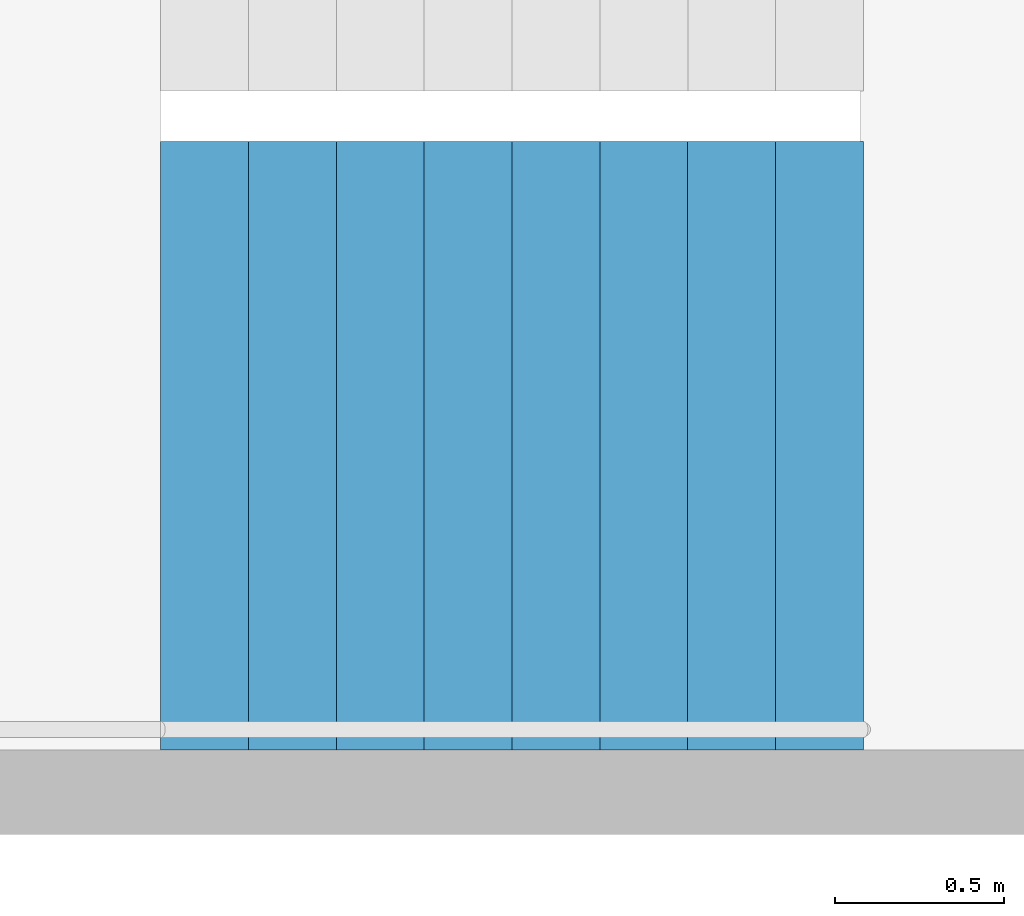
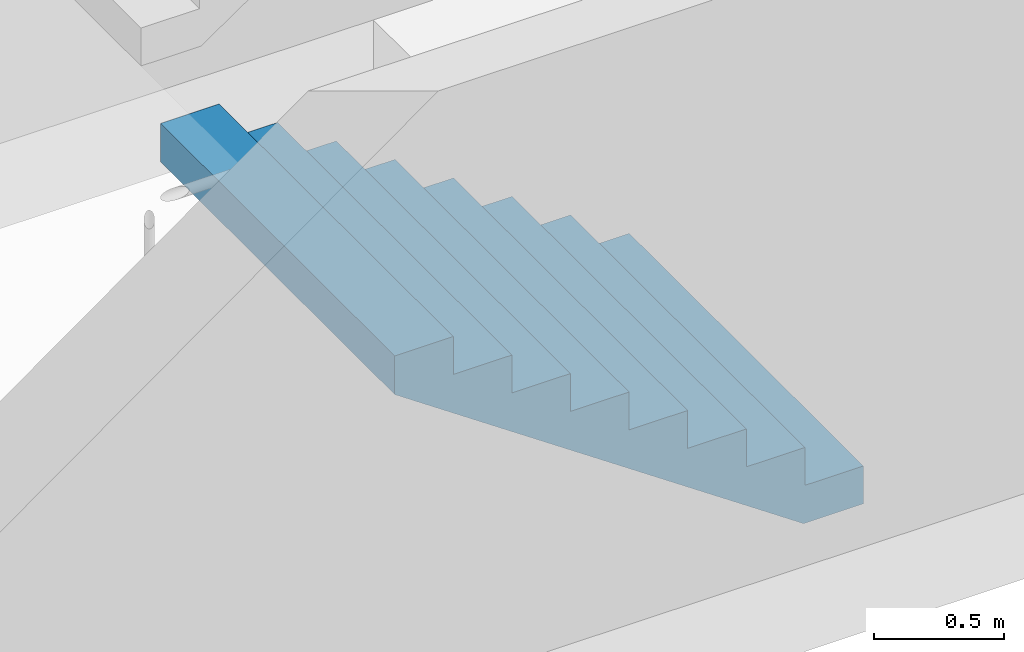
# One storey, part 27 of 29: 1 stair flight, 1 element without a shape of its own.
"""IFC4 building model written with IfcOpenShell, lengths in metres."""

from ifc_helpers import new_model, si_unit, direction, frame, origin, place, context, subcontext, project, spatial, triangles, material, type_object, element, aggregate, save


model = new_model("IFC4")

# Units and contexts
model_context = context("Model", 3, precision=1e-05, world=origin(), true_north=direction((0.0, 1.0)))
body_context = subcontext(model_context, "Body", "Model", "MODEL_VIEW")
ifc_project = project(units=[si_unit("LENGTHUNIT", "METRE"), si_unit("AREAUNIT", "SQUARE_METRE"), si_unit("VOLUMEUNIT", "CUBIC_METRE"), si_unit("PLANEANGLEUNIT", "RADIAN"), si_unit("MASSUNIT", "GRAM", prefix="KILO")], contexts=[model_context])

# Site, building, storey
site_placement = place(None, origin())
site = spatial("IfcSite", under=ifc_project, at=site_placement, CompositionType="ELEMENT")
building_placement = place(site_placement, origin())
building = spatial("IfcBuilding", under=site, at=building_placement, Name="Hakoniwa Tower and Hamabe Station Hall", CompositionType="ELEMENT")
storey_placement = place(building_placement, frame((0.0, 0.0, 75.39990234375)))
storey = spatial("IfcBuildingStorey", under=building, at=storey_placement, Name="L20", CompositionType="ELEMENT", Elevation=75.39990234375)

# Stair, stair flight
ifc_material_1 = material(Name="Concrete C40", Category="concrete")
stair_type = type_object("IfcStairType", Name="ESCAPE STAIR 1800", PredefinedType="HALF_TURN_STAIR", material=ifc_material_1)
stair_placement = place(storey_placement, origin())
stair = element("IfcStair", 1, at=stair_placement, inside=storey, type_object=stair_type, Name="Escape stair ST-3 L20", PredefinedType="HALF_TURN_STAIR")
ifc_material_2 = material(Name="Concrete C40", Category="concrete")
stair_flight_type = type_object("IfcStairFlightType", Name="STAIR FLIGHT 1800", PredefinedType="STRAIGHT", material=ifc_material_2)
stair_flight_placement = place(storey_placement, frame((24.39990234375, 4.64990234375, 0.0), z_axis=(0.0, 0.0, 1.0), x_axis=(-1.0, 0.0, 0.0)))
stair_flight = element("IfcStairFlight", 2, at=stair_flight_placement, type_object=stair_flight_type, Name="ST-3 flight 1", NumberOfRisers=9, NumberOfTreads=8, PredefinedType="STRAIGHT", RiserHeight=0.177777778, TreadLength=0.26, context=body_context, shape_type="Tessellation", body=[
    triangles([(0.0, 0.89990234375, 0.0), (0.260009765625, 0.89990234375, 0.0), (0.265625, 0.89990234375, 0.0), (0.52001953125, 0.89990234375, 0.174072265625), (0.780029296875, 0.89990234375, 0.351806640625), (1.0400390625, 0.89990234375, 0.529541015625), (1.300048828125, 0.89990234375, 0.707275390625), (1.56005859375, 0.89990234375, 0.885009765625), (1.820068359375, 0.89990234375, 1.062744140625), (2.080078125, 0.89990234375, 1.24072265625), (2.080078125, 0.89990234375, 1.422119140625), (1.820068359375, 0.89990234375, 1.422119140625), (1.820068359375, 0.89990234375, 1.244384765625), (1.56005859375, 0.89990234375, 1.244384765625), (1.56005859375, 0.89990234375, 1.066650390625), (1.300048828125, 0.89990234375, 1.066650390625), (1.300048828125, 0.89990234375, 0.888916015625), (1.0400390625, 0.89990234375, 0.888916015625), (1.0400390625, 0.89990234375, 0.711181640625), (0.780029296875, 0.89990234375, 0.711181640625), (0.780029296875, 0.89990234375, 0.533447265625), (0.52001953125, 0.89990234375, 0.533447265625), (0.52001953125, 0.89990234375, 0.35546875), (0.265625, 0.89990234375, 0.35546875), (0.260009765625, 0.89990234375, 0.35546875), (0.260009765625, 0.89990234375, 0.177734375), (0.0, 0.89990234375, 0.177734375), (0.0, 0.06005859375, 0.0), (0.260009765625, 0.06005859375, 0.0), (0.265625, 0.06005859375, 0.0), (0.52001953125, 0.06005859375, 0.174072265625), (0.780029296875, 0.06005859375, 0.351806640625), (1.0400390625, 0.06005859375, 0.529541015625), (1.300048828125, 0.06005859375, 0.707275390625), (1.56005859375, 0.06005859375, 0.885009765625), (1.820068359375, 0.06005859375, 1.062744140625), (2.080078125, 0.06005859375, 1.24072265625), (2.080078125, 0.06005859375, 1.422119140625), (1.820068359375, 0.06005859375, 1.422119140625), (1.820068359375, 0.06005859375, 1.244384765625), (1.56005859375, 0.06005859375, 1.244384765625), (1.56005859375, 0.06005859375, 1.066650390625), (1.300048828125, 0.06005859375, 1.066650390625), (1.300048828125, 0.06005859375, 0.888916015625), (1.0400390625, 0.06005859375, 0.888916015625), (1.0400390625, 0.06005859375, 0.711181640625), (0.780029296875, 0.06005859375, 0.711181640625), (0.780029296875, 0.06005859375, 0.533447265625), (0.52001953125, 0.06005859375, 0.533447265625), (0.52001953125, 0.06005859375, 0.35546875), (0.265625, 0.06005859375, 0.35546875), (0.260009765625, 0.06005859375, 0.35546875), (0.260009765625, 0.06005859375, 0.177734375), (0.0, 0.06005859375, 0.177734375), (0.0, 0.04296875, 0.0), (0.260009765625, 0.04296875, 0.0), (0.265625, 0.04296875, 0.0), (0.52001953125, 0.04296875, 0.174072265625), (0.780029296875, 0.04296875, 0.351806640625), (1.0400390625, 0.04296875, 0.529541015625), (1.300048828125, 0.04296875, 0.707275390625), (1.56005859375, 0.04296875, 0.885009765625), (1.820068359375, 0.04296875, 1.062744140625), (2.080078125, 0.04296875, 1.24072265625), (2.080078125, 0.04296875, 1.422119140625), (1.820068359375, 0.04296875, 1.422119140625), (1.820068359375, 0.04296875, 1.244384765625), (1.56005859375, 0.04296875, 1.244384765625), (1.56005859375, 0.04296875, 1.066650390625), (1.300048828125, 0.04296875, 1.066650390625), (1.300048828125, 0.04296875, 0.888916015625), (1.0400390625, 0.04296875, 0.888916015625), (1.0400390625, 0.04296875, 0.711181640625), (0.780029296875, 0.04296875, 0.711181640625), (0.780029296875, 0.04296875, 0.533447265625), (0.52001953125, 0.04296875, 0.533447265625), (0.52001953125, 0.04296875, 0.35546875), (0.265625, 0.04296875, 0.35546875), (0.260009765625, 0.04296875, 0.35546875), (0.260009765625, 0.04296875, 0.177734375), (0.0, 0.04296875, 0.177734375), (0.0, 0.025634765625, 0.0), (0.260009765625, 0.025634765625, 0.0), (0.265625, 0.025634765625, 0.0), (0.52001953125, 0.025634765625, 0.174072265625), (0.780029296875, 0.025634765625, 0.351806640625), (1.0400390625, 0.025634765625, 0.529541015625), (1.300048828125, 0.025634765625, 0.707275390625), (1.56005859375, 0.025634765625, 0.885009765625), (1.820068359375, 0.025634765625, 1.062744140625), (2.080078125, 0.025634765625, 1.24072265625), (2.080078125, 0.025634765625, 1.422119140625), (1.820068359375, 0.025634765625, 1.422119140625), (1.820068359375, 0.025634765625, 1.244384765625), (1.56005859375, 0.025634765625, 1.244384765625), (1.56005859375, 0.025634765625, 1.066650390625), (1.300048828125, 0.025634765625, 1.066650390625), (1.300048828125, 0.025634765625, 0.888916015625), (1.0400390625, 0.025634765625, 0.888916015625), (1.0400390625, 0.025634765625, 0.711181640625), (0.780029296875, 0.025634765625, 0.711181640625), (0.780029296875, 0.025634765625, 0.533447265625), (0.52001953125, 0.025634765625, 0.533447265625), (0.52001953125, 0.025634765625, 0.35546875), (0.265625, 0.025634765625, 0.35546875), (0.260009765625, 0.025634765625, 0.35546875), (0.260009765625, 0.025634765625, 0.177734375), (0.0, 0.025634765625, 0.177734375), (0.0, 0.008544921875, 0.0), (0.260009765625, 0.008544921875, 0.0), (0.265625, 0.008544921875, 0.0), (0.52001953125, 0.008544921875, 0.174072265625), (0.780029296875, 0.008544921875, 0.351806640625), (1.0400390625, 0.008544921875, 0.529541015625), (1.300048828125, 0.008544921875, 0.707275390625), (1.56005859375, 0.008544921875, 0.885009765625), (1.820068359375, 0.008544921875, 1.062744140625), (2.080078125, 0.008544921875, 1.24072265625), (2.080078125, 0.008544921875, 1.422119140625), (1.820068359375, 0.008544921875, 1.422119140625), (1.820068359375, 0.008544921875, 1.244384765625), (1.56005859375, 0.008544921875, 1.244384765625), (1.56005859375, 0.008544921875, 1.066650390625), (1.300048828125, 0.008544921875, 1.066650390625), (1.300048828125, 0.008544921875, 0.888916015625), (1.0400390625, 0.008544921875, 0.888916015625), (1.0400390625, 0.008544921875, 0.711181640625), (0.780029296875, 0.008544921875, 0.711181640625), (0.780029296875, 0.008544921875, 0.533447265625), (0.52001953125, 0.008544921875, 0.533447265625), (0.52001953125, 0.008544921875, 0.35546875), (0.265625, 0.008544921875, 0.35546875), (0.260009765625, 0.008544921875, 0.35546875), (0.260009765625, 0.008544921875, 0.177734375), (0.0, 0.008544921875, 0.177734375), (0.0, -0.008544921875, 0.0), (0.260009765625, -0.008544921875, 0.0), (0.265625, -0.008544921875, 0.0), (0.52001953125, -0.008544921875, 0.174072265625), (0.780029296875, -0.008544921875, 0.351806640625), (1.0400390625, -0.008544921875, 0.529541015625), (1.300048828125, -0.008544921875, 0.707275390625), (1.56005859375, -0.008544921875, 0.885009765625), (1.820068359375, -0.008544921875, 1.062744140625), (2.080078125, -0.008544921875, 1.24072265625), (2.080078125, -0.008544921875, 1.422119140625), (1.820068359375, -0.008544921875, 1.422119140625), (1.820068359375, -0.008544921875, 1.244384765625), (1.56005859375, -0.008544921875, 1.244384765625), (1.56005859375, -0.008544921875, 1.066650390625), (1.300048828125, -0.008544921875, 1.066650390625), (1.300048828125, -0.008544921875, 0.888916015625), (1.0400390625, -0.008544921875, 0.888916015625), (1.0400390625, -0.008544921875, 0.711181640625), (0.780029296875, -0.008544921875, 0.711181640625), (0.780029296875, -0.008544921875, 0.533447265625), (0.52001953125, -0.008544921875, 0.533447265625), (0.52001953125, -0.008544921875, 0.35546875), (0.265625, -0.008544921875, 0.35546875), (0.260009765625, -0.008544921875, 0.35546875), (0.260009765625, -0.008544921875, 0.177734375), (0.0, -0.008544921875, 0.177734375), (0.0, -0.025634765625, 0.0), (0.260009765625, -0.025634765625, 0.0), (0.265625, -0.025634765625, 0.0), (0.52001953125, -0.025634765625, 0.174072265625), (0.780029296875, -0.025634765625, 0.351806640625), (1.0400390625, -0.025634765625, 0.529541015625), (1.300048828125, -0.025634765625, 0.707275390625), (1.56005859375, -0.025634765625, 0.885009765625), (1.820068359375, -0.025634765625, 1.062744140625), (2.080078125, -0.025634765625, 1.24072265625), (2.080078125, -0.025634765625, 1.422119140625), (1.820068359375, -0.025634765625, 1.422119140625), (1.820068359375, -0.025634765625, 1.244384765625), (1.56005859375, -0.025634765625, 1.244384765625), (1.56005859375, -0.025634765625, 1.066650390625), (1.300048828125, -0.025634765625, 1.066650390625), (1.300048828125, -0.025634765625, 0.888916015625), (1.0400390625, -0.025634765625, 0.888916015625), (1.0400390625, -0.025634765625, 0.711181640625), (0.780029296875, -0.025634765625, 0.711181640625), (0.780029296875, -0.025634765625, 0.533447265625), (0.52001953125, -0.025634765625, 0.533447265625), (0.52001953125, -0.025634765625, 0.35546875), (0.265625, -0.025634765625, 0.35546875), (0.260009765625, -0.025634765625, 0.35546875), (0.260009765625, -0.025634765625, 0.177734375), (0.0, -0.025634765625, 0.177734375), (0.0, -0.04296875, 0.0), (0.260009765625, -0.04296875, 0.0), (0.265625, -0.04296875, 0.0), (0.52001953125, -0.04296875, 0.174072265625), (0.780029296875, -0.04296875, 0.351806640625), (1.0400390625, -0.04296875, 0.529541015625), (1.300048828125, -0.04296875, 0.707275390625), (1.56005859375, -0.04296875, 0.885009765625), (1.820068359375, -0.04296875, 1.062744140625), (2.080078125, -0.04296875, 1.24072265625), (2.080078125, -0.04296875, 1.422119140625), (1.820068359375, -0.04296875, 1.422119140625), (1.820068359375, -0.04296875, 1.244384765625), (1.56005859375, -0.04296875, 1.244384765625), (1.56005859375, -0.04296875, 1.066650390625), (1.300048828125, -0.04296875, 1.066650390625), (1.300048828125, -0.04296875, 0.888916015625), (1.0400390625, -0.04296875, 0.888916015625), (1.0400390625, -0.04296875, 0.711181640625), (0.780029296875, -0.04296875, 0.711181640625), (0.780029296875, -0.04296875, 0.533447265625), (0.52001953125, -0.04296875, 0.533447265625), (0.52001953125, -0.04296875, 0.35546875), (0.265625, -0.04296875, 0.35546875), (0.260009765625, -0.04296875, 0.35546875), (0.260009765625, -0.04296875, 0.177734375), (0.0, -0.04296875, 0.177734375), (0.0, -0.06005859375, 0.0), (0.260009765625, -0.06005859375, 0.0), (0.265625, -0.06005859375, 0.0), (0.52001953125, -0.06005859375, 0.174072265625), (0.780029296875, -0.06005859375, 0.351806640625), (1.0400390625, -0.06005859375, 0.529541015625), (1.300048828125, -0.06005859375, 0.707275390625), (1.56005859375, -0.06005859375, 0.885009765625), (1.820068359375, -0.06005859375, 1.062744140625), (2.080078125, -0.06005859375, 1.24072265625), (2.080078125, -0.06005859375, 1.422119140625), (1.820068359375, -0.06005859375, 1.422119140625), (1.820068359375, -0.06005859375, 1.244384765625), (1.56005859375, -0.06005859375, 1.244384765625), (1.56005859375, -0.06005859375, 1.066650390625), (1.300048828125, -0.06005859375, 1.066650390625), (1.300048828125, -0.06005859375, 0.888916015625), (1.0400390625, -0.06005859375, 0.888916015625), (1.0400390625, -0.06005859375, 0.711181640625), (0.780029296875, -0.06005859375, 0.711181640625), (0.780029296875, -0.06005859375, 0.533447265625), (0.52001953125, -0.06005859375, 0.533447265625), (0.52001953125, -0.06005859375, 0.35546875), (0.265625, -0.06005859375, 0.35546875), (0.260009765625, -0.06005859375, 0.35546875), (0.260009765625, -0.06005859375, 0.177734375), (0.0, -0.06005859375, 0.177734375), (0.0, -0.89990234375, 0.0), (0.260009765625, -0.89990234375, 0.0), (0.265625, -0.89990234375, 0.0), (0.52001953125, -0.89990234375, 0.174072265625), (0.780029296875, -0.89990234375, 0.351806640625), (1.0400390625, -0.89990234375, 0.529541015625), (1.300048828125, -0.89990234375, 0.707275390625), (1.56005859375, -0.89990234375, 0.885009765625), (1.820068359375, -0.89990234375, 1.062744140625), (2.080078125, -0.89990234375, 1.24072265625), (2.080078125, -0.89990234375, 1.422119140625), (1.820068359375, -0.89990234375, 1.422119140625), (1.820068359375, -0.89990234375, 1.244384765625), (1.56005859375, -0.89990234375, 1.244384765625), (1.56005859375, -0.89990234375, 1.066650390625), (1.300048828125, -0.89990234375, 1.066650390625), (1.300048828125, -0.89990234375, 0.888916015625), (1.0400390625, -0.89990234375, 0.888916015625), (1.0400390625, -0.89990234375, 0.711181640625), (0.780029296875, -0.89990234375, 0.711181640625), (0.780029296875, -0.89990234375, 0.533447265625), (0.52001953125, -0.89990234375, 0.533447265625), (0.52001953125, -0.89990234375, 0.35546875), (0.265625, -0.89990234375, 0.35546875), (0.260009765625, -0.89990234375, 0.35546875), (0.260009765625, -0.89990234375, 0.177734375), (0.0, -0.89990234375, 0.177734375)], [[2, 27, 26], [245, 269, 270], [2, 1, 27], [245, 270, 244], [3, 25, 24], [246, 267, 268], [3, 26, 25], [246, 268, 269], [3, 2, 26], [246, 269, 245], [4, 24, 23], [247, 266, 267], [4, 3, 24], [247, 267, 246], [5, 22, 21], [248, 264, 265], [5, 23, 22], [248, 265, 266], [5, 4, 23], [248, 266, 247], [6, 20, 19], [249, 262, 263], [6, 21, 20], [249, 263, 264], [6, 5, 21], [249, 264, 248], [7, 18, 17], [250, 260, 261], [7, 19, 18], [250, 261, 262], [7, 6, 19], [250, 262, 249], [8, 16, 15], [251, 258, 259], [8, 17, 16], [251, 259, 260], [8, 7, 17], [251, 260, 250], [9, 14, 13], [252, 256, 257], [9, 15, 14], [252, 257, 258], [9, 8, 15], [252, 258, 251], [10, 12, 11], [253, 254, 255], [10, 13, 12], [253, 255, 256], [10, 9, 13], [253, 256, 252], [1, 2, 29], [1, 29, 28], [28, 29, 56], [28, 56, 55], [55, 56, 83], [55, 83, 82], [82, 83, 110], [82, 110, 109], [109, 110, 137], [109, 137, 136], [136, 137, 164], [136, 164, 163], [163, 164, 191], [163, 191, 190], [190, 191, 218], [190, 218, 217], [217, 218, 245], [217, 245, 244], [2, 3, 30], [2, 30, 29], [29, 30, 57], [29, 57, 56], [56, 57, 84], [56, 84, 83], [83, 84, 111], [83, 111, 110], [110, 111, 138], [110, 138, 137], [137, 138, 165], [137, 165, 164], [164, 165, 192], [164, 192, 191], [191, 192, 219], [191, 219, 218], [218, 219, 246], [218, 246, 245], [3, 4, 31], [3, 31, 30], [30, 31, 58], [30, 58, 57], [57, 58, 85], [57, 85, 84], [84, 85, 112], [84, 112, 111], [111, 112, 139], [111, 139, 138], [138, 139, 166], [138, 166, 165], [165, 166, 193], [165, 193, 192], [192, 193, 220], [192, 220, 219], [219, 220, 247], [219, 247, 246], [4, 5, 32], [4, 32, 31], [31, 32, 59], [31, 59, 58], [58, 59, 86], [58, 86, 85], [85, 86, 113], [85, 113, 112], [112, 113, 140], [112, 140, 139], [139, 140, 167], [139, 167, 166], [166, 167, 194], [166, 194, 193], [193, 194, 221], [193, 221, 220], [220, 221, 248], [220, 248, 247], [5, 6, 33], [5, 33, 32], [32, 33, 60], [32, 60, 59], [59, 60, 87], [59, 87, 86], [86, 87, 114], [86, 114, 113], [113, 114, 141], [113, 141, 140], [140, 141, 168], [140, 168, 167], [167, 168, 195], [167, 195, 194], [194, 195, 222], [194, 222, 221], [221, 222, 249], [221, 249, 248], [6, 7, 34], [6, 34, 33], [33, 34, 61], [33, 61, 60], [60, 61, 88], [60, 88, 87], [87, 88, 115], [87, 115, 114], [114, 115, 142], [114, 142, 141], [141, 142, 169], [141, 169, 168], [168, 169, 196], [168, 196, 195], [195, 196, 223], [195, 223, 222], [222, 223, 250], [222, 250, 249], [7, 8, 35], [7, 35, 34], [34, 35, 62], [34, 62, 61], [61, 62, 89], [61, 89, 88], [88, 89, 116], [88, 116, 115], [115, 116, 143], [115, 143, 142], [142, 143, 170], [142, 170, 169], [169, 170, 197], [169, 197, 196], [196, 197, 224], [196, 224, 223], [223, 224, 251], [223, 251, 250], [8, 9, 36], [8, 36, 35], [35, 36, 63], [35, 63, 62], [62, 63, 90], [62, 90, 89], [89, 90, 117], [89, 117, 116], [116, 117, 144], [116, 144, 143], [143, 144, 171], [143, 171, 170], [170, 171, 198], [170, 198, 197], [197, 198, 225], [197, 225, 224], [224, 225, 252], [224, 252, 251], [9, 10, 37], [9, 37, 36], [36, 37, 64], [36, 64, 63], [63, 64, 91], [63, 91, 90], [90, 91, 118], [90, 118, 117], [117, 118, 145], [117, 145, 144], [144, 145, 172], [144, 172, 171], [171, 172, 199], [171, 199, 198], [198, 199, 226], [198, 226, 225], [225, 226, 253], [225, 253, 252], [10, 11, 38], [10, 38, 37], [37, 38, 65], [37, 65, 64], [64, 65, 92], [64, 92, 91], [91, 92, 119], [91, 119, 118], [118, 119, 146], [118, 146, 145], [145, 146, 173], [145, 173, 172], [172, 173, 200], [172, 200, 199], [199, 200, 227], [199, 227, 226], [226, 227, 254], [226, 254, 253], [11, 12, 39], [11, 39, 38], [38, 39, 66], [38, 66, 65], [65, 66, 93], [65, 93, 92], [92, 93, 120], [92, 120, 119], [119, 120, 147], [119, 147, 146], [146, 147, 174], [146, 174, 173], [173, 174, 201], [173, 201, 200], [200, 201, 228], [200, 228, 227], [227, 228, 255], [227, 255, 254], [12, 13, 40], [12, 40, 39], [39, 40, 67], [39, 67, 66], [66, 67, 94], [66, 94, 93], [93, 94, 121], [93, 121, 120], [120, 121, 148], [120, 148, 147], [147, 148, 175], [147, 175, 174], [174, 175, 202], [174, 202, 201], [201, 202, 229], [201, 229, 228], [228, 229, 256], [228, 256, 255], [13, 14, 41], [13, 41, 40], [40, 41, 68], [40, 68, 67], [67, 68, 95], [67, 95, 94], [94, 95, 122], [94, 122, 121], [121, 122, 149], [121, 149, 148], [148, 149, 176], [148, 176, 175], [175, 176, 203], [175, 203, 202], [202, 203, 230], [202, 230, 229], [229, 230, 257], [229, 257, 256], [14, 15, 42], [14, 42, 41], [41, 42, 69], [41, 69, 68], [68, 69, 96], [68, 96, 95], [95, 96, 123], [95, 123, 122], [122, 123, 150], [122, 150, 149], [149, 150, 177], [149, 177, 176], [176, 177, 204], [176, 204, 203], [203, 204, 231], [203, 231, 230], [230, 231, 258], [230, 258, 257], [15, 16, 43], [15, 43, 42], [42, 43, 70], [42, 70, 69], [69, 70, 97], [69, 97, 96], [96, 97, 124], [96, 124, 123], [123, 124, 151], [123, 151, 150], [150, 151, 178], [150, 178, 177], [177, 178, 205], [177, 205, 204], [204, 205, 232], [204, 232, 231], [231, 232, 259], [231, 259, 258], [16, 17, 44], [16, 44, 43], [43, 44, 71], [43, 71, 70], [70, 71, 98], [70, 98, 97], [97, 98, 125], [97, 125, 124], [124, 125, 152], [124, 152, 151], [151, 152, 179], [151, 179, 178], [178, 179, 206], [178, 206, 205], [205, 206, 233], [205, 233, 232], [232, 233, 260], [232, 260, 259], [17, 18, 45], [17, 45, 44], [44, 45, 72], [44, 72, 71], [71, 72, 99], [71, 99, 98], [98, 99, 126], [98, 126, 125], [125, 126, 153], [125, 153, 152], [152, 153, 180], [152, 180, 179], [179, 180, 207], [179, 207, 206], [206, 207, 234], [206, 234, 233], [233, 234, 261], [233, 261, 260], [18, 19, 46], [18, 46, 45], [45, 46, 73], [45, 73, 72], [72, 73, 100], [72, 100, 99], [99, 100, 127], [99, 127, 126], [126, 127, 154], [126, 154, 153], [153, 154, 181], [153, 181, 180], [180, 181, 208], [180, 208, 207], [207, 208, 235], [207, 235, 234], [234, 235, 262], [234, 262, 261], [19, 20, 47], [19, 47, 46], [46, 47, 74], [46, 74, 73], [73, 74, 101], [73, 101, 100], [100, 101, 128], [100, 128, 127], [127, 128, 155], [127, 155, 154], [154, 155, 182], [154, 182, 181], [181, 182, 209], [181, 209, 208], [208, 209, 236], [208, 236, 235], [235, 236, 263], [235, 263, 262], [20, 21, 48], [20, 48, 47], [47, 48, 75], [47, 75, 74], [74, 75, 102], [74, 102, 101], [101, 102, 129], [101, 129, 128], [128, 129, 156], [128, 156, 155], [155, 156, 183], [155, 183, 182], [182, 183, 210], [182, 210, 209], [209, 210, 237], [209, 237, 236], [236, 237, 264], [236, 264, 263], [21, 22, 49], [21, 49, 48], [48, 49, 76], [48, 76, 75], [75, 76, 103], [75, 103, 102], [102, 103, 130], [102, 130, 129], [129, 130, 157], [129, 157, 156], [156, 157, 184], [156, 184, 183], [183, 184, 211], [183, 211, 210], [210, 211, 238], [210, 238, 237], [237, 238, 265], [237, 265, 264], [22, 23, 50], [22, 50, 49], [49, 50, 77], [49, 77, 76], [76, 77, 104], [76, 104, 103], [103, 104, 131], [103, 131, 130], [130, 131, 158], [130, 158, 157], [157, 158, 185], [157, 185, 184], [184, 185, 212], [184, 212, 211], [211, 212, 239], [211, 239, 238], [238, 239, 266], [238, 266, 265], [23, 24, 51], [23, 51, 50], [50, 51, 78], [50, 78, 77], [77, 78, 105], [77, 105, 104], [104, 105, 132], [104, 132, 131], [131, 132, 159], [131, 159, 158], [158, 159, 186], [158, 186, 185], [185, 186, 213], [185, 213, 212], [212, 213, 240], [212, 240, 239], [239, 240, 267], [239, 267, 266], [24, 25, 52], [24, 52, 51], [51, 52, 79], [51, 79, 78], [78, 79, 106], [78, 106, 105], [105, 106, 133], [105, 133, 132], [132, 133, 160], [132, 160, 159], [159, 160, 187], [159, 187, 186], [186, 187, 214], [186, 214, 213], [213, 214, 241], [213, 241, 240], [240, 241, 268], [240, 268, 267], [25, 26, 53], [25, 53, 52], [52, 53, 80], [52, 80, 79], [79, 80, 107], [79, 107, 106], [106, 107, 134], [106, 134, 133], [133, 134, 161], [133, 161, 160], [160, 161, 188], [160, 188, 187], [187, 188, 215], [187, 215, 214], [214, 215, 242], [214, 242, 241], [241, 242, 269], [241, 269, 268], [26, 27, 54], [26, 54, 53], [53, 54, 81], [53, 81, 80], [80, 81, 108], [80, 108, 107], [107, 108, 135], [107, 135, 134], [134, 135, 162], [134, 162, 161], [161, 162, 189], [161, 189, 188], [188, 189, 216], [188, 216, 215], [215, 216, 243], [215, 243, 242], [242, 243, 270], [242, 270, 269], [27, 1, 28], [27, 28, 54], [54, 28, 55], [54, 55, 81], [81, 55, 82], [81, 82, 108], [108, 82, 109], [108, 109, 135], [135, 109, 136], [135, 136, 162], [162, 136, 163], [162, 163, 189], [189, 163, 190], [189, 190, 216], [216, 190, 217], [216, 217, 243], [243, 217, 244], [243, 244, 270]], closed=True),
])
aggregate(stair, [stair_flight])

save(model, "model.ifc")
